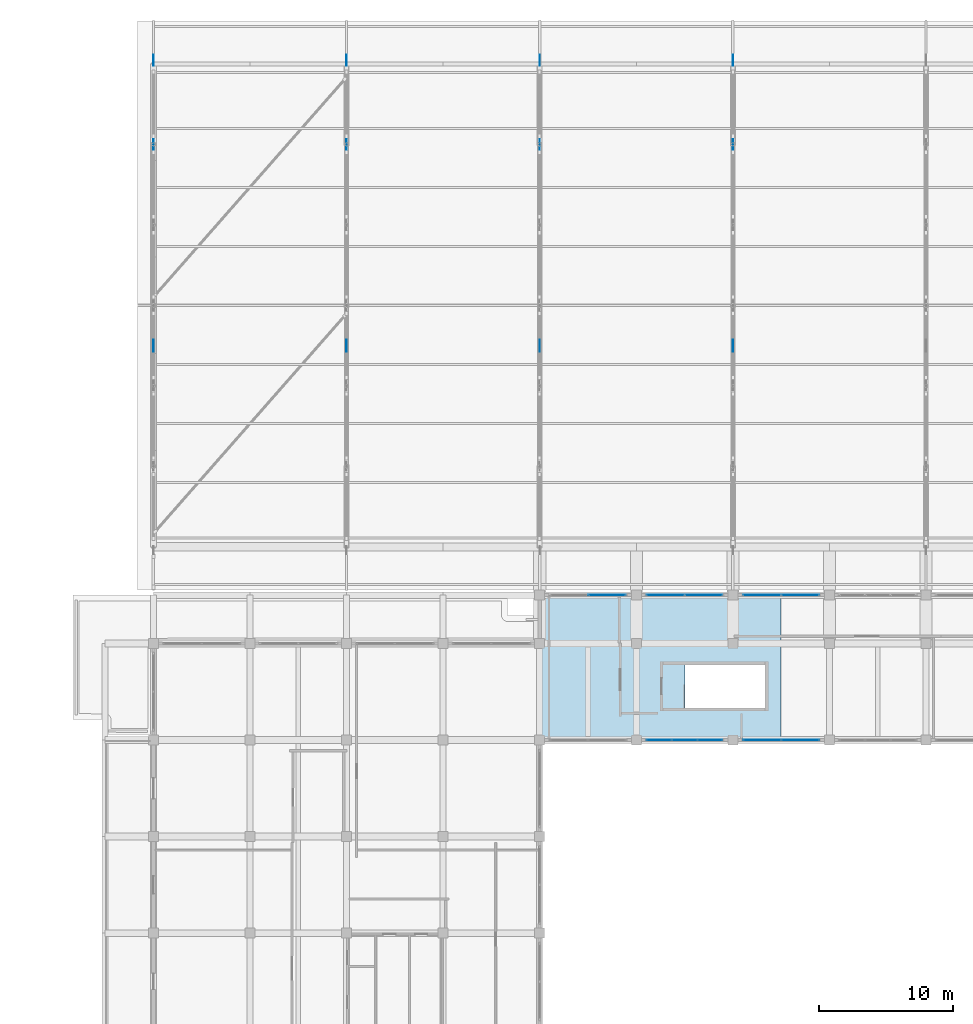
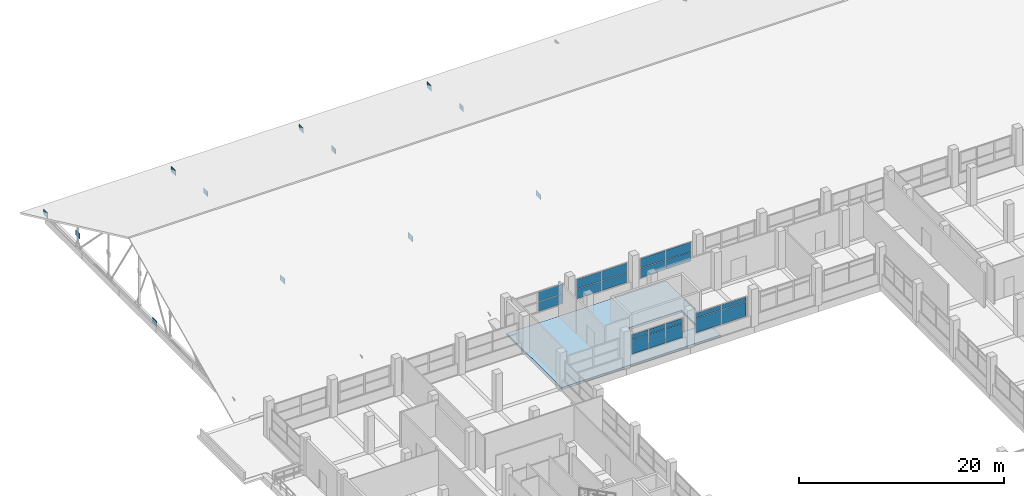
# One storey, part 116 of 141: 32 plates, 1 slab, 9 elements without a shape of their own.
"""IFC4 building model written with IfcOpenShell, lengths in metres."""

from ifc_helpers import new_model, si_unit, direction, frame, origin, origin_2d, place, context, subcontext, project, spatial, polyline, rectangle, outline, extrude, material, layer, layer_set, type_object, element, aggregate, save


model = new_model("IFC4")

# Units and contexts
model_context = context("Model", 3, precision=1e-05, world=origin(), true_north=direction((0.0, 1.0)))
body_context = subcontext(model_context, "Body", "Model", "MODEL_VIEW")
ifc_project = project(units=[si_unit("LENGTHUNIT", "METRE"), si_unit("AREAUNIT", "SQUARE_METRE"), si_unit("VOLUMEUNIT", "CUBIC_METRE"), si_unit("PLANEANGLEUNIT", "RADIAN"), si_unit("MASSUNIT", "GRAM", prefix="KILO")], contexts=[model_context])

# Site, building, storey
site_placement = place(None, origin())
site = spatial("IfcSite", under=ifc_project, at=site_placement, CompositionType="ELEMENT")
building_placement = place(site_placement, origin())
building = spatial("IfcBuilding", under=site, at=building_placement, Name="Seraya Terrace Polytechnic", CompositionType="ELEMENT")
storey_placement = place(building_placement, frame((0.0, 0.0, 14.39990234375)))
storey = spatial("IfcBuildingStorey", under=building, at=storey_placement, Name="L03", CompositionType="ELEMENT", Elevation=14.39990234375)

# Curtain wall, plates
ifc_material_1 = material(Name="Anodised aluminium EN AW-6063 T6", Category="aluminium")
ifc_layer_1 = layer(ifc_material_1, 0.179931640625, Name="CW-10")
ifc_layer_set_1 = layer_set([ifc_layer_1], Name="Anodised aluminium EN AW-6063 T6")
curtain_wall_type_1 = type_object("IfcCurtainWallType", Name="CW-10", PredefinedType="NOTDEFINED", material=ifc_layer_set_1)
curtain_wall_1_placement = place(storey_placement, origin())
curtain_wall_1 = element("IfcCurtainWall", 1, at=curtain_wall_1_placement, inside=storey, type_object=curtain_wall_type_1, Name="Unitised curtain wall CW-10 (CW-L03-118)", PredefinedType="NOTDEFINED")
ifc_material_2 = material(Name="Laminated solar-control Low-E double glazing", Category="glass")
ifc_layer_2 = layer(ifc_material_2, 0.028076171875, Name="CWP-01")
ifc_layer_set_2 = layer_set([ifc_layer_2], Name="Laminated solar-control Low-E double glazing")
plate_type_1 = type_object("IfcPlateType", Name="CWP-01", PredefinedType="CURTAIN_PANEL", material=ifc_layer_set_2)
plate_1_placement = place(storey_placement, frame((48.2236328125, 75.60009765625, 1.300048828125), z_axis=(0.0, 0.0, 1.0), x_axis=(1.0, 0.0, 0.0)))
plate_1 = element("IfcPlate", 2, at=plate_1_placement, type_object=plate_type_1, Name="CW-10 panel 2.1", PredefinedType="CURTAIN_PANEL", context=body_context, shape_type="SweptSolid", body=[
    extrude(rectangle(XDim=2.782470703125, YDim=0.028076171875, at=origin_2d()), origin(), (0.0, 0.0, 1.0), 1.1298828125),
])
plate_2_placement = place(storey_placement, frame((48.2236328125, 75.60009765625, 2.490234375), z_axis=(0.0, 0.0, 1.0), x_axis=(1.0, 0.0, 0.0)))
plate_2 = element("IfcPlate", 3, at=plate_2_placement, type_object=plate_type_1, Name="CW-10 panel 2.2", PredefinedType="CURTAIN_PANEL", context=body_context, shape_type="SweptSolid", body=[
    extrude(rectangle(XDim=2.782470703125, YDim=0.028076171875, at=origin_2d()), origin(), (0.0, 0.0, 1.0), 1.1298828125),
])
aggregate(curtain_wall_1, [plate_1, plate_2])

ifc_layer_3 = layer(ifc_material_1, 0.179931640625, Name="CW-11")
ifc_layer_set_3 = layer_set([ifc_layer_3], Name="Anodised aluminium EN AW-6063 T6")
curtain_wall_type_2 = type_object("IfcCurtainWallType", Name="CW-11", PredefinedType="NOTDEFINED", material=ifc_layer_set_3)
curtain_wall_2_placement = place(storey_placement, origin())
curtain_wall_2 = element("IfcCurtainWall", 4, at=curtain_wall_2_placement, inside=storey, type_object=curtain_wall_type_2, Name="Unitised curtain wall CW-11 (CW-L03-119)", PredefinedType="NOTDEFINED")
ifc_layer_4 = layer(ifc_material_2, 0.031982421875, Name="CWP-02")
ifc_layer_set_4 = layer_set([ifc_layer_4], Name="Laminated solar-control Low-E double glazing")
plate_type_2 = type_object("IfcPlateType", Name="CWP-02", PredefinedType="CURTAIN_PANEL", material=ifc_layer_set_4)
plate_3_placement = place(storey_placement, frame((52.574951171875, 75.60009765625, 1.300048828125), z_axis=(0.0, 0.0, 1.0), x_axis=(1.0, 0.0, 0.0)))
plate_3 = element("IfcPlate", 5, at=plate_3_placement, type_object=plate_type_2, Name="CW-11 panel 1.1", PredefinedType="CURTAIN_PANEL", context=body_context, shape_type="SweptSolid", body=[
    extrude(rectangle(XDim=2.7900390625, YDim=0.031982421875, at=origin_2d()), origin(), (0.0, 0.0, 1.0), 1.1201171875),
])
plate_4_placement = place(storey_placement, frame((52.574951171875, 75.60009765625, 2.47998046875), z_axis=(0.0, 0.0, 1.0), x_axis=(1.0, 0.0, 0.0)))
plate_4 = element("IfcPlate", 6, at=plate_4_placement, type_object=plate_type_2, Name="CW-11 panel 1.2", PredefinedType="CURTAIN_PANEL", context=body_context, shape_type="SweptSolid", body=[
    extrude(rectangle(XDim=2.7900390625, YDim=0.031982421875, at=origin_2d()), origin(), (0.0, 0.0, 1.0), 1.1201171875),
])
plate_5_placement = place(storey_placement, frame((55.425048828125, 75.60009765625, 1.300048828125), z_axis=(0.0, 0.0, 1.0), x_axis=(1.0, 0.0, 0.0)))
plate_5 = element("IfcPlate", 7, at=plate_5_placement, type_object=plate_type_2, Name="CW-11 panel 2.1", PredefinedType="CURTAIN_PANEL", context=body_context, shape_type="SweptSolid", body=[
    extrude(rectangle(XDim=2.7900390625, YDim=0.031982421875, at=origin_2d()), origin(), (0.0, 0.0, 1.0), 1.1201171875),
])
plate_6_placement = place(storey_placement, frame((55.425048828125, 75.60009765625, 2.47998046875), z_axis=(0.0, 0.0, 1.0), x_axis=(1.0, 0.0, 0.0)))
plate_6 = element("IfcPlate", 8, at=plate_6_placement, type_object=plate_type_2, Name="CW-11 panel 2.2", PredefinedType="CURTAIN_PANEL", context=body_context, shape_type="SweptSolid", body=[
    extrude(rectangle(XDim=2.7900390625, YDim=0.031982421875, at=origin_2d()), origin(), (0.0, 0.0, 1.0), 1.1201171875),
])
aggregate(curtain_wall_2, [plate_3, plate_4, plate_5, plate_6])

ifc_layer_5 = layer(ifc_material_1, 0.179931640625, Name="CW-35")
ifc_layer_set_5 = layer_set([ifc_layer_5], Name="Anodised aluminium EN AW-6063 T6")
curtain_wall_type_3 = type_object("IfcCurtainWallType", Name="CW-35", PredefinedType="NOTDEFINED", material=ifc_layer_set_5)
curtain_wall_3_placement = place(storey_placement, origin())
curtain_wall_3 = element("IfcCurtainWall", 9, at=curtain_wall_3_placement, inside=storey, type_object=curtain_wall_type_3, Name="Unitised curtain wall CW-35 (CW-L03-143)", PredefinedType="NOTDEFINED")
plate_7_placement = place(storey_placement, frame((62.625, 64.800048828125, 1.300048828125), z_axis=(0.0, 0.0, 1.0), x_axis=(-1.0, 0.0, 0.0)))
plate_7 = element("IfcPlate", 10, at=plate_7_placement, type_object=plate_type_2, Name="CW-35 panel 1.1", PredefinedType="CURTAIN_PANEL", context=body_context, shape_type="SweptSolid", body=[
    extrude(rectangle(XDim=2.7900390625, YDim=0.031982421875, at=origin_2d()), origin(), (0.0, 0.0, 1.0), 1.7099609375),
])
plate_8_placement = place(storey_placement, frame((62.625, 64.800048828125, 3.0703125), z_axis=(0.0, 0.0, 1.0), x_axis=(-1.0, 0.0, 0.0)))
plate_8 = element("IfcPlate", 11, at=plate_8_placement, type_object=plate_type_2, Name="CW-35 panel 1.2", PredefinedType="CURTAIN_PANEL", context=body_context, shape_type="SweptSolid", body=[
    extrude(rectangle(XDim=2.7900390625, YDim=0.031982421875, at=origin_2d()), origin(), (0.0, 0.0, 1.0), 0.530029296875),
])
plate_9_placement = place(storey_placement, frame((59.77490234375, 64.800048828125, 1.300048828125), z_axis=(0.0, 0.0, 1.0), x_axis=(-1.0, 0.0, 0.0)))
plate_9 = element("IfcPlate", 12, at=plate_9_placement, type_object=plate_type_2, Name="CW-35 panel 2.1", PredefinedType="CURTAIN_PANEL", context=body_context, shape_type="SweptSolid", body=[
    extrude(rectangle(XDim=2.7900390625, YDim=0.031982421875, at=origin_2d()), origin(), (0.0, 0.0, 1.0), 1.7099609375),
])
plate_10_placement = place(storey_placement, frame((59.77490234375, 64.800048828125, 3.0703125), z_axis=(0.0, 0.0, 1.0), x_axis=(-1.0, 0.0, 0.0)))
plate_10 = element("IfcPlate", 13, at=plate_10_placement, type_object=plate_type_2, Name="CW-35 panel 2.2", PredefinedType="CURTAIN_PANEL", context=body_context, shape_type="SweptSolid", body=[
    extrude(rectangle(XDim=2.7900390625, YDim=0.031982421875, at=origin_2d()), origin(), (0.0, 0.0, 1.0), 0.530029296875),
])
aggregate(curtain_wall_3, [plate_7, plate_8, plate_9, plate_10])

ifc_layer_6 = layer(ifc_material_1, 0.179931640625, Name="CW-12")
ifc_layer_set_6 = layer_set([ifc_layer_6], Name="Anodised aluminium EN AW-6063 T6")
curtain_wall_type_4 = type_object("IfcCurtainWallType", Name="CW-12", PredefinedType="NOTDEFINED", material=ifc_layer_set_6)
curtain_wall_4_placement = place(storey_placement, origin())
curtain_wall_4 = element("IfcCurtainWall", 14, at=curtain_wall_4_placement, inside=storey, type_object=curtain_wall_type_4, Name="Unitised curtain wall CW-12 (CW-L03-120)", PredefinedType="NOTDEFINED")
ifc_layer_7 = layer(ifc_material_2, 0.035888671875, Name="CWP-03")
ifc_layer_set_7 = layer_set([ifc_layer_7], Name="Laminated solar-control Low-E double glazing")
plate_type_3 = type_object("IfcPlateType", Name="CWP-03", PredefinedType="CURTAIN_PANEL", material=ifc_layer_set_7)
plate_11_placement = place(storey_placement, frame((59.77490234375, 75.60009765625, 1.295166015625), z_axis=(0.0, 0.0, 1.0), x_axis=(1.0, 0.0, 0.0)))
plate_11 = element("IfcPlate", 15, at=plate_11_placement, type_object=plate_type_3, Name="CW-12 panel 1.1", PredefinedType="CURTAIN_PANEL", context=body_context, shape_type="SweptSolid", body=[
    extrude(rectangle(XDim=2.7900390625, YDim=0.035888671875, at=origin_2d()), origin(), (0.0, 0.0, 1.0), 1.107421875),
])
plate_12_placement = place(storey_placement, frame((59.77490234375, 75.60009765625, 2.45751953125), z_axis=(0.0, 0.0, 1.0), x_axis=(1.0, 0.0, 0.0)))
plate_12 = element("IfcPlate", 16, at=plate_12_placement, type_object=plate_type_3, Name="CW-12 panel 1.2", PredefinedType="CURTAIN_PANEL", context=body_context, shape_type="SweptSolid", body=[
    extrude(rectangle(XDim=2.7900390625, YDim=0.035888671875, at=origin_2d()), origin(), (0.0, 0.0, 1.0), 1.107421875),
])
plate_13_placement = place(storey_placement, frame((62.625, 75.60009765625, 1.295166015625), z_axis=(0.0, 0.0, 1.0), x_axis=(1.0, 0.0, 0.0)))
plate_13 = element("IfcPlate", 17, at=plate_13_placement, type_object=plate_type_3, Name="CW-12 panel 2.1", PredefinedType="CURTAIN_PANEL", context=body_context, shape_type="SweptSolid", body=[
    extrude(rectangle(XDim=2.7900390625, YDim=0.035888671875, at=origin_2d()), origin(), (0.0, 0.0, 1.0), 1.107421875),
])
plate_14_placement = place(storey_placement, frame((62.625, 75.60009765625, 2.45751953125), z_axis=(0.0, 0.0, 1.0), x_axis=(1.0, 0.0, 0.0)))
plate_14 = element("IfcPlate", 18, at=plate_14_placement, type_object=plate_type_3, Name="CW-12 panel 2.2", PredefinedType="CURTAIN_PANEL", context=body_context, shape_type="SweptSolid", body=[
    extrude(rectangle(XDim=2.7900390625, YDim=0.035888671875, at=origin_2d()), origin(), (0.0, 0.0, 1.0), 1.107421875),
])
aggregate(curtain_wall_4, [plate_11, plate_12, plate_13, plate_14])

ifc_layer_8 = layer(ifc_material_1, 0.179931640625, Name="CW-36")
ifc_layer_set_8 = layer_set([ifc_layer_8], Name="Anodised aluminium EN AW-6063 T6")
curtain_wall_type_5 = type_object("IfcCurtainWallType", Name="CW-36", PredefinedType="NOTDEFINED", material=ifc_layer_set_8)
curtain_wall_5_placement = place(storey_placement, origin())
curtain_wall_5 = element("IfcCurtainWall", 19, at=curtain_wall_5_placement, inside=storey, type_object=curtain_wall_type_5, Name="Unitised curtain wall CW-36 (CW-L03-144)", PredefinedType="NOTDEFINED")
plate_15_placement = place(storey_placement, frame((55.905029296875, 64.800048828125, 1.294921875), z_axis=(0.0, 0.0, 1.0), x_axis=(-1.0, 0.0, 0.0)))
plate_15 = element("IfcPlate", 20, at=plate_15_placement, type_object=plate_type_3, Name="CW-36 panel 1.1", PredefinedType="CURTAIN_PANEL", context=body_context, shape_type="SweptSolid", body=[
    extrude(rectangle(XDim=1.830078125, YDim=0.035888671875, at=origin_2d()), origin(), (0.0, 0.0, 1.0), 1.677490234375),
])
plate_16_placement = place(storey_placement, frame((55.905029296875, 64.800048828125, 3.027587890625), z_axis=(0.0, 0.0, 1.0), x_axis=(-1.0, 0.0, 0.0)))
plate_16 = element("IfcPlate", 21, at=plate_16_placement, type_object=plate_type_3, Name="CW-36 panel 1.2", PredefinedType="CURTAIN_PANEL", context=body_context, shape_type="SweptSolid", body=[
    extrude(rectangle(XDim=1.830078125, YDim=0.035888671875, at=origin_2d()), origin(), (0.0, 0.0, 1.0), 0.53759765625),
])
plate_17_placement = place(storey_placement, frame((54.0, 64.800048828125, 1.294921875), z_axis=(0.0, 0.0, 1.0), x_axis=(-1.0, 0.0, 0.0)))
plate_17 = element("IfcPlate", 22, at=plate_17_placement, type_object=plate_type_3, Name="CW-36 panel 2.1", PredefinedType="CURTAIN_PANEL", context=body_context, shape_type="SweptSolid", body=[
    extrude(rectangle(XDim=1.860107421875, YDim=0.035888671875, at=origin_2d()), origin(), (0.0, 0.0, 1.0), 1.677490234375),
])
plate_18_placement = place(storey_placement, frame((54.0, 64.800048828125, 3.027587890625), z_axis=(0.0, 0.0, 1.0), x_axis=(-1.0, 0.0, 0.0)))
plate_18 = element("IfcPlate", 23, at=plate_18_placement, type_object=plate_type_3, Name="CW-36 panel 2.2", PredefinedType="CURTAIN_PANEL", context=body_context, shape_type="SweptSolid", body=[
    extrude(rectangle(XDim=1.860107421875, YDim=0.035888671875, at=origin_2d()), origin(), (0.0, 0.0, 1.0), 0.53759765625),
])
plate_19_placement = place(storey_placement, frame((52.094970703125, 64.800048828125, 1.294921875), z_axis=(0.0, 0.0, 1.0), x_axis=(-1.0, 0.0, 0.0)))
plate_19 = element("IfcPlate", 24, at=plate_19_placement, type_object=plate_type_3, Name="CW-36 panel 3.1", PredefinedType="CURTAIN_PANEL", context=body_context, shape_type="SweptSolid", body=[
    extrude(rectangle(XDim=1.830078125, YDim=0.035888671875, at=origin_2d()), origin(), (0.0, 0.0, 1.0), 1.677490234375),
])
plate_20_placement = place(storey_placement, frame((52.094970703125, 64.800048828125, 3.027587890625), z_axis=(0.0, 0.0, 1.0), x_axis=(-1.0, 0.0, 0.0)))
plate_20 = element("IfcPlate", 25, at=plate_20_placement, type_object=plate_type_3, Name="CW-36 panel 3.2", PredefinedType="CURTAIN_PANEL", context=body_context, shape_type="SweptSolid", body=[
    extrude(rectangle(XDim=1.830078125, YDim=0.035888671875, at=origin_2d()), origin(), (0.0, 0.0, 1.0), 0.53759765625),
])
aggregate(curtain_wall_5, [plate_15, plate_16, plate_17, plate_18, plate_19, plate_20])

# Slab
ifc_material_3 = material(Name="Concrete C40/50", Category="concrete")
ifc_layer_9 = layer(ifc_material_3, 0.260009765625, Name="FS-08")
ifc_layer_set_9 = layer_set([ifc_layer_9], Name="Concrete C40/50")
slab_type = type_object("IfcSlabType", Name="FS-08", PredefinedType="FLOOR", material=ifc_layer_set_9)
slab_placement = place(storey_placement, frame((0.0, 0.0, -0.260009765625)))
element("IfcSlab", 26, at=slab_placement, inside=storey, type_object=slab_type, Name="Floor slab SLB-V2-NWRIM-L03-S1 (FS-08)", PredefinedType="FLOOR", context=body_context, shape_type="SweptSolid", body=[
    extrude(outline(polyline([(43.260009765625, 75.5400390625), (61.199951171875, 75.5400390625), (61.199951171875, 64.860107421875), (43.260009765625, 64.860107421875), (43.260009765625, 75.5400390625)]), holes=[polyline([(60.0, 70.39990234375), (54.0400390625, 70.39990234375), (54.0400390625, 67.199951171875), (60.0, 67.199951171875), (60.0, 70.39990234375)])]), origin(), (0.0, 0.0, 1.0), 0.260009765625),
])

# Assembly, plate
ifc_material_4 = material(Name="Steel S355J2", Category="steel")
element_assembly_type = type_object("IfcElementAssemblyType", Name="TR-A1", PredefinedType="TRUSS", material=ifc_material_4)
assembly_1_placement = place(storey_placement, origin())
assembly_1 = element("IfcElementAssembly", 27, at=assembly_1_placement, inside=storey, type_object=element_assembly_type, Name="Pitched steel roof truss TR-01", AssemblyPlace="SITE", PredefinedType="TRUSS")
ifc_layer_10 = layer(ifc_material_4, 0.028076171875, Name="TN-06")
ifc_layer_set_10 = layer_set([ifc_layer_10], Name="Steel S355J2")
plate_type_4 = type_object("IfcPlateType", Name="TN-06", PredefinedType="USERDEFINED", material=ifc_layer_set_10)
plate_21_placement = place(storey_placement, frame((14.39990234375, 109.199951171875, 1.175048828125), z_axis=(0.0, 0.0, 1.0), x_axis=(0.0, 1.0, 0.0)))
plate_21 = element("IfcPlate", 28, at=plate_21_placement, type_object=plate_type_4, Name="TR-01 bolted node gusset plate TN-06", ObjectType="GUSSET_PLATE", PredefinedType="USERDEFINED", context=body_context, shape_type="SweptSolid", body=[
    extrude(rectangle(XDim=0.800048828125, YDim=0.028076171875, at=origin_2d()), origin(), (0.0, 0.0, 1.0), 0.60009765625),
])

assembly_2_placement = place(storey_placement, origin())
assembly_2 = element("IfcElementAssembly", 29, at=assembly_2_placement, inside=storey, type_object=element_assembly_type, Name="Pitched steel roof truss TR-02", AssemblyPlace="SITE", PredefinedType="TRUSS")
plate_22_placement = place(storey_placement, frame((28.800048828125, 109.199951171875, 1.175048828125), z_axis=(0.0, 0.0, 1.0), x_axis=(0.0, 1.0, 0.0)))
plate_22 = element("IfcPlate", 30, at=plate_22_placement, type_object=plate_type_4, Name="TR-02 bolted node gusset plate TN-06", ObjectType="GUSSET_PLATE", PredefinedType="USERDEFINED", context=body_context, shape_type="SweptSolid", body=[
    extrude(rectangle(XDim=0.800048828125, YDim=0.028076171875, at=origin_2d()), origin(), (0.0, 0.0, 1.0), 0.60009765625),
])

assembly_3_placement = place(storey_placement, origin())
assembly_3 = element("IfcElementAssembly", 31, at=assembly_3_placement, inside=storey, type_object=element_assembly_type, Name="Pitched steel roof truss TR-03", AssemblyPlace="SITE", PredefinedType="TRUSS")
plate_23_placement = place(storey_placement, frame((43.199951171875, 109.199951171875, 1.175048828125), z_axis=(0.0, 0.0, 1.0), x_axis=(0.0, 1.0, 0.0)))
plate_23 = element("IfcPlate", 32, at=plate_23_placement, type_object=plate_type_4, Name="TR-03 bolted node gusset plate TN-06", ObjectType="GUSSET_PLATE", PredefinedType="USERDEFINED", context=body_context, shape_type="SweptSolid", body=[
    extrude(rectangle(XDim=0.800048828125, YDim=0.028076171875, at=origin_2d()), origin(), (0.0, 0.0, 1.0), 0.60009765625),
])

assembly_4_placement = place(storey_placement, origin())
assembly_4 = element("IfcElementAssembly", 33, at=assembly_4_placement, inside=storey, type_object=element_assembly_type, Name="Pitched steel roof truss TR-04", AssemblyPlace="SITE", PredefinedType="TRUSS")
plate_24_placement = place(storey_placement, frame((57.60009765625, 109.199951171875, 1.175048828125), z_axis=(0.0, 0.0, 1.0), x_axis=(0.0, 1.0, 0.0)))
plate_24 = element("IfcPlate", 34, at=plate_24_placement, type_object=plate_type_4, Name="TR-04 bolted node gusset plate TN-06", ObjectType="GUSSET_PLATE", PredefinedType="USERDEFINED", context=body_context, shape_type="SweptSolid", body=[
    extrude(rectangle(XDim=0.800048828125, YDim=0.028076171875, at=origin_2d()), origin(), (0.0, 0.0, 1.0), 0.60009765625),
])

# Plate
ifc_layer_11 = layer(ifc_material_4, 0.030029296875, Name="TN-07")
ifc_layer_set_11 = layer_set([ifc_layer_11], Name="Steel S355J2")
plate_type_5 = type_object("IfcPlateType", Name="TN-07", PredefinedType="USERDEFINED", material=ifc_layer_set_11)
plate_25_placement = place(storey_placement, frame((14.39990234375, 115.47998046875, -0.164794921875), z_axis=(0.0, 0.0, 1.0), x_axis=(0.0, 1.0, 0.0)))
plate_25 = element("IfcPlate", 35, at=plate_25_placement, type_object=plate_type_5, Name="TR-01 bolted node gusset plate TN-07", ObjectType="GUSSET_PLATE", PredefinedType="USERDEFINED", context=body_context, shape_type="SweptSolid", body=[
    extrude(rectangle(XDim=0.840087890625, YDim=0.030029296875, at=origin_2d()), origin(), (0.0, 0.0, 1.0), 0.6298828125),
])

plate_26_placement = place(storey_placement, frame((28.800048828125, 115.47998046875, -0.164794921875), z_axis=(0.0, 0.0, 1.0), x_axis=(0.0, 1.0, 0.0)))
plate_26 = element("IfcPlate", 36, at=plate_26_placement, type_object=plate_type_5, Name="TR-02 bolted node gusset plate TN-07", ObjectType="GUSSET_PLATE", PredefinedType="USERDEFINED", context=body_context, shape_type="SweptSolid", body=[
    extrude(rectangle(XDim=0.840087890625, YDim=0.030029296875, at=origin_2d()), origin(), (0.0, 0.0, 1.0), 0.6298828125),
])

plate_27_placement = place(storey_placement, frame((43.199951171875, 115.47998046875, -0.164794921875), z_axis=(0.0, 0.0, 1.0), x_axis=(0.0, 1.0, 0.0)))
plate_27 = element("IfcPlate", 37, at=plate_27_placement, type_object=plate_type_5, Name="TR-03 bolted node gusset plate TN-07", ObjectType="GUSSET_PLATE", PredefinedType="USERDEFINED", context=body_context, shape_type="SweptSolid", body=[
    extrude(rectangle(XDim=0.840087890625, YDim=0.030029296875, at=origin_2d()), origin(), (0.0, 0.0, 1.0), 0.6298828125),
])

plate_28_placement = place(storey_placement, frame((57.60009765625, 115.47998046875, -0.164794921875), z_axis=(0.0, 0.0, 1.0), x_axis=(0.0, 1.0, 0.0)))
plate_28 = element("IfcPlate", 38, at=plate_28_placement, type_object=plate_type_5, Name="TR-04 bolted node gusset plate TN-07", ObjectType="GUSSET_PLATE", PredefinedType="USERDEFINED", context=body_context, shape_type="SweptSolid", body=[
    extrude(rectangle(XDim=0.840087890625, YDim=0.030029296875, at=origin_2d()), origin(), (0.0, 0.0, 1.0), 0.6298828125),
])

ifc_layer_12 = layer(ifc_material_4, 0.031982421875, Name="TN-08")
ifc_layer_set_12 = layer_set([ifc_layer_12], Name="Steel S355J2")
plate_type_6 = type_object("IfcPlateType", Name="TN-08", PredefinedType="USERDEFINED", material=ifc_layer_set_12)
plate_29_placement = place(storey_placement, frame((14.39990234375, 94.199951171875, -0.1796875), z_axis=(0.0, 0.0, 1.0), x_axis=(0.0, 1.0, 0.0)))
plate_29 = element("IfcPlate", 39, at=plate_29_placement, type_object=plate_type_6, Name="TR-01 bottom chord splice plate TN-08", ObjectType="GUSSET_PLATE", PredefinedType="USERDEFINED", context=body_context, shape_type="SweptSolid", body=[
    extrude(rectangle(XDim=0.8798828125, YDim=0.031982421875, at=origin_2d()), origin(), (0.0, 0.0, 1.0), 0.659912109375),
])

aggregate(assembly_1, [plate_21, plate_25, plate_29])

plate_30_placement = place(storey_placement, frame((28.800048828125, 94.199951171875, -0.1796875), z_axis=(0.0, 0.0, 1.0), x_axis=(0.0, 1.0, 0.0)))
plate_30 = element("IfcPlate", 40, at=plate_30_placement, type_object=plate_type_6, Name="TR-02 bottom chord splice plate TN-08", ObjectType="GUSSET_PLATE", PredefinedType="USERDEFINED", context=body_context, shape_type="SweptSolid", body=[
    extrude(rectangle(XDim=0.8798828125, YDim=0.031982421875, at=origin_2d()), origin(), (0.0, 0.0, 1.0), 0.659912109375),
])

aggregate(assembly_2, [plate_22, plate_26, plate_30])

plate_31_placement = place(storey_placement, frame((43.199951171875, 94.199951171875, -0.1796875), z_axis=(0.0, 0.0, 1.0), x_axis=(0.0, 1.0, 0.0)))
plate_31 = element("IfcPlate", 41, at=plate_31_placement, type_object=plate_type_6, Name="TR-03 bottom chord splice plate TN-08", ObjectType="GUSSET_PLATE", PredefinedType="USERDEFINED", context=body_context, shape_type="SweptSolid", body=[
    extrude(rectangle(XDim=0.8798828125, YDim=0.031982421875, at=origin_2d()), origin(), (0.0, 0.0, 1.0), 0.659912109375),
])

aggregate(assembly_3, [plate_23, plate_27, plate_31])

plate_32_placement = place(storey_placement, frame((57.60009765625, 94.199951171875, -0.1796875), z_axis=(0.0, 0.0, 1.0), x_axis=(0.0, 1.0, 0.0)))
plate_32 = element("IfcPlate", 42, at=plate_32_placement, type_object=plate_type_6, Name="TR-04 bottom chord splice plate TN-08", ObjectType="GUSSET_PLATE", PredefinedType="USERDEFINED", context=body_context, shape_type="SweptSolid", body=[
    extrude(rectangle(XDim=0.8798828125, YDim=0.031982421875, at=origin_2d()), origin(), (0.0, 0.0, 1.0), 0.659912109375),
])

aggregate(assembly_4, [plate_24, plate_28, plate_32])

save(model, "model.ifc")
